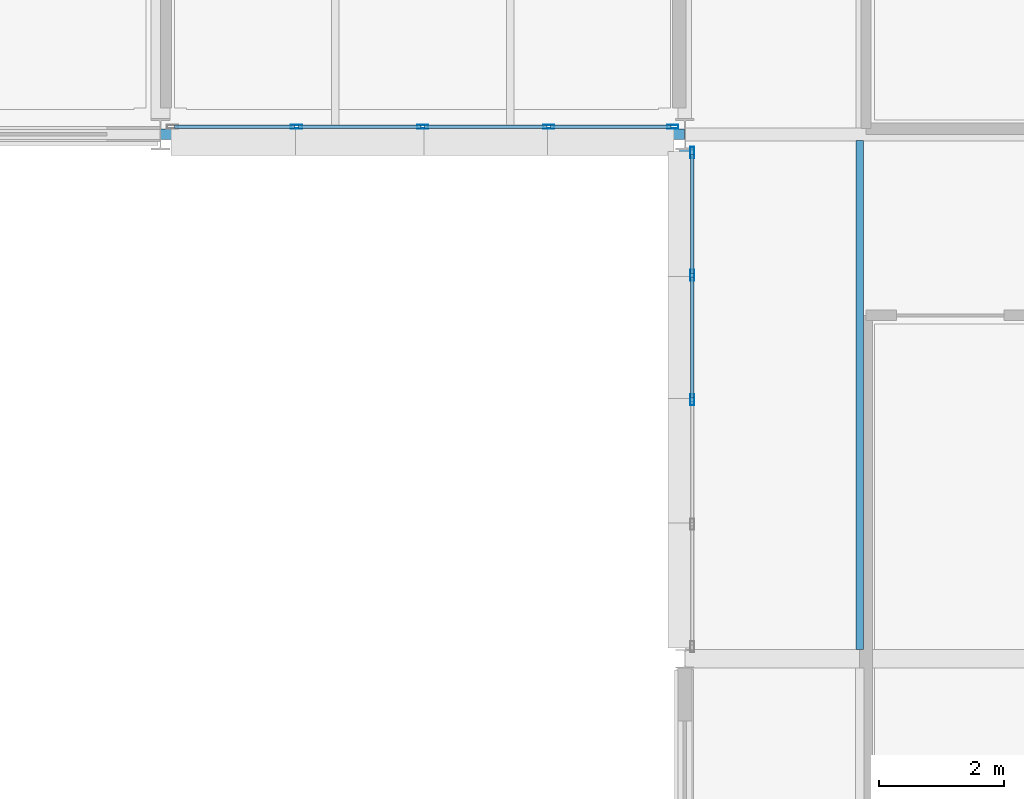
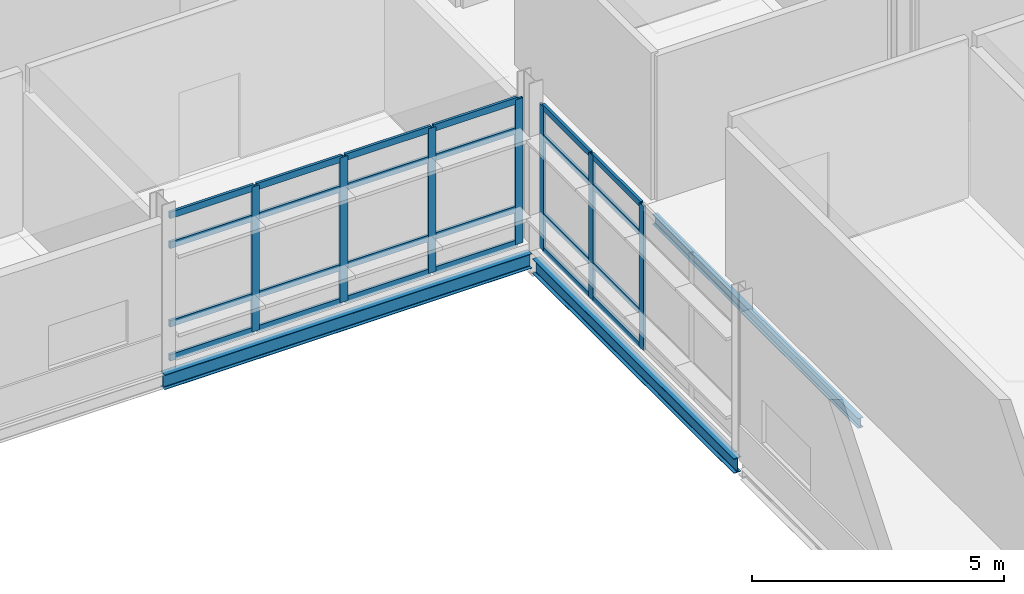
# One storey, part 90 of 131: 31 members, 3 beams, 2 elements without a shape of their own.
"""IFC4 building model written with IfcOpenShell, lengths in metres."""

from ifc_helpers import new_model, si_unit, direction, frame, origin, origin_2d, place, context, subcontext, project, spatial, hollow_rectangle, i_section, extrude, material, material_profile, profile_set, type_object, element, aggregate, save


model = new_model("IFC4")

# Units and contexts
model_context = context("Model", 3, precision=1e-05, world=origin(), true_north=direction((0.0, 1.0)))
body_context = subcontext(model_context, "Body", "Model", "MODEL_VIEW")
ifc_project = project(units=[si_unit("LENGTHUNIT", "METRE"), si_unit("AREAUNIT", "SQUARE_METRE"), si_unit("VOLUMEUNIT", "CUBIC_METRE"), si_unit("PLANEANGLEUNIT", "RADIAN"), si_unit("MASSUNIT", "GRAM", prefix="KILO")], contexts=[model_context])

# Site, building, storey
site_placement = place(None, origin())
site = spatial("IfcSite", under=ifc_project, at=site_placement, CompositionType="ELEMENT")
building_placement = place(site_placement, origin())
building = spatial("IfcBuilding", under=site, at=building_placement, Name="Mersafa Astral City Hall", CompositionType="ELEMENT")
storey_placement = place(building_placement, frame((0.0, 0.0, 13.949951171875)))
storey = spatial("IfcBuildingStorey", under=building, at=storey_placement, Name="L03", CompositionType="ELEMENT", Elevation=13.949951171875)

# Curtain wall, members
ifc_material_1 = material(Name="Anodised bronze aluminium framing", Category="aluminium")
curtain_wall_type_1 = type_object("IfcCurtainWallType", Name="ENV-CW-1", PredefinedType="USERDEFINED", material=ifc_material_1)
curtain_wall_1_placement = place(storey_placement, origin())
curtain_wall_1 = element("IfcCurtainWall", 1, at=curtain_wall_1_placement, inside=storey, type_object=curtain_wall_type_1, Name="L03 Unitised solar curtain wall 162", ObjectType="UNITISED CURTAIN WALL", PredefinedType="USERDEFINED")
ifc_material_profile_1 = material_profile(ifc_material_1, hollow_rectangle(XDim=0.06005859375, YDim=0.179931640625, WallThickness=0.00390625, at=origin_2d()), Name="RHS 60x180x4")
ifc_profile_set_1 = profile_set([ifc_material_profile_1], Name="Anodised bronze aluminium framing")
member_type_1 = type_object("IfcMemberType", Name="ENV-CW-MUL-1", PredefinedType="MULLION", material=ifc_profile_set_1)
member_1_placement = place(storey_placement, frame((153.381103515625, 100.919921875, -0.001953125), z_axis=(0.0, 0.0, 1.0), x_axis=(0.0, 1.0, 0.0)))
member_1 = element("IfcMember", 2, at=member_1_placement, type_object=member_type_1, Name="CW-1 mullion 2", PredefinedType="MULLION", context=body_context, shape_type="SweptSolid", body=[
    extrude(hollow_rectangle(XDim=0.06005859375, YDim=0.179931640625, WallThickness=0.00390625, at=origin_2d()), origin(), (0.0, 0.0, 1.0), 3.50390625),
])
member_2_placement = place(storey_placement, frame((155.39990234375, 100.919921875, -0.001953125), z_axis=(0.0, 0.0, 1.0), x_axis=(0.0, 1.0, 0.0)))
member_2 = element("IfcMember", 3, at=member_2_placement, type_object=member_type_1, Name="CW-1 mullion 3", PredefinedType="MULLION", context=body_context, shape_type="SweptSolid", body=[
    extrude(hollow_rectangle(XDim=0.06005859375, YDim=0.179931640625, WallThickness=0.00390625, at=origin_2d()), origin(), (0.0, 0.0, 1.0), 3.50390625),
])
member_3_placement = place(storey_placement, frame((157.4189453125, 100.919921875, -0.001953125), z_axis=(0.0, 0.0, 1.0), x_axis=(0.0, 1.0, 0.0)))
member_3 = element("IfcMember", 4, at=member_3_placement, type_object=member_type_1, Name="CW-1 mullion 4", PredefinedType="MULLION", context=body_context, shape_type="SweptSolid", body=[
    extrude(hollow_rectangle(XDim=0.06005859375, YDim=0.179931640625, WallThickness=0.00390625, at=origin_2d()), origin(), (0.0, 0.0, 1.0), 3.50390625),
])
member_4_placement = place(storey_placement, frame((159.407958984375, 100.919921875, -0.001953125), z_axis=(0.0, 0.0, 1.0), x_axis=(0.0, 1.0, 0.0)))
member_4 = element("IfcMember", 5, at=member_4_placement, type_object=member_type_1, Name="CW-1 mullion 5", PredefinedType="MULLION", context=body_context, shape_type="SweptSolid", body=[
    extrude(hollow_rectangle(XDim=0.06005859375, YDim=0.179931640625, WallThickness=0.00390625, at=origin_2d()), origin(), (0.0, 0.0, 1.0), 3.50390625),
])

curtain_wall_type_2 = type_object("IfcCurtainWallType", Name="ENV-CW-2", PredefinedType="USERDEFINED", material=ifc_material_1)
curtain_wall_2_placement = place(storey_placement, origin())
curtain_wall_2 = element("IfcCurtainWall", 6, at=curtain_wall_2_placement, inside=storey, type_object=curtain_wall_type_2, Name="L03 Unitised solar curtain wall 163", ObjectType="UNITISED CURTAIN WALL", PredefinedType="USERDEFINED")
member_5_placement = place(storey_placement, frame((159.719970703125, 100.508056640625, -0.001953125), z_axis=(0.0, 0.0, 1.0), x_axis=(1.0, 0.0, 0.0)))
member_5 = element("IfcMember", 7, at=member_5_placement, type_object=member_type_1, Name="CW-2 mullion 1", PredefinedType="MULLION", context=body_context, shape_type="SweptSolid", body=[
    extrude(hollow_rectangle(XDim=0.06005859375, YDim=0.179931640625, WallThickness=0.00390625, at=origin_2d()), origin(), (0.0, 0.0, 1.0), 3.489013671875),
])
member_6_placement = place(storey_placement, frame((159.719970703125, 98.5439453125, -0.001953125), z_axis=(0.0, 0.0, 1.0), x_axis=(1.0, 0.0, 0.0)))
member_6 = element("IfcMember", 8, at=member_6_placement, type_object=member_type_1, Name="CW-2 mullion 2", PredefinedType="MULLION", context=body_context, shape_type="SweptSolid", body=[
    extrude(hollow_rectangle(XDim=0.06005859375, YDim=0.179931640625, WallThickness=0.00390625, at=origin_2d()), origin(), (0.0, 0.0, 1.0), 3.489013671875),
])
member_7_placement = place(storey_placement, frame((159.719970703125, 96.550048828125, -0.001953125), z_axis=(0.0, 0.0, 1.0), x_axis=(1.0, 0.0, 0.0)))
member_7 = element("IfcMember", 9, at=member_7_placement, type_object=member_type_1, Name="CW-2 mullion 3", PredefinedType="MULLION", context=body_context, shape_type="SweptSolid", body=[
    extrude(hollow_rectangle(XDim=0.06005859375, YDim=0.179931640625, WallThickness=0.00390625, at=origin_2d()), origin(), (0.0, 0.0, 1.0), 3.489013671875),
])
ifc_material_profile_2 = material_profile(ifc_material_1, hollow_rectangle(XDim=0.06005859375, YDim=0.139892578125, WallThickness=0.00390625, at=origin_2d()), Name="RHS 60x140x4")
ifc_profile_set_2 = profile_set([ifc_material_profile_2], Name="Anodised bronze aluminium framing")
member_type_2 = type_object("IfcMemberType", Name="ENV-CW-TRN-1", PredefinedType="USERDEFINED", material=ifc_profile_set_2)
member_8_placement = place(storey_placement, frame((159.719970703125, 100.47802734375, 0.028076171875), z_axis=(0.0, -1.0, 0.0), x_axis=(1.0, 0.0, 0.0)))
member_8 = element("IfcMember", 10, at=member_8_placement, type_object=member_type_2, Name="CW-2 transom 1.1", ObjectType="TRANSOM", PredefinedType="USERDEFINED", context=body_context, shape_type="SweptSolid", body=[
    extrude(hollow_rectangle(XDim=0.06005859375, YDim=0.139892578125, WallThickness=0.00390625, at=origin_2d()), origin(), (0.0, 0.0, 1.0), 1.904052734375),
])
member_9_placement = place(storey_placement, frame((159.719970703125, 100.47802734375, 0.85009765625), z_axis=(0.0, -1.0, 0.0), x_axis=(1.0, 0.0, 0.0)))
member_9 = element("IfcMember", 11, at=member_9_placement, type_object=member_type_2, Name="CW-2 transom 1.2", ObjectType="TRANSOM", PredefinedType="USERDEFINED", context=body_context, shape_type="SweptSolid", body=[
    extrude(hollow_rectangle(XDim=0.06005859375, YDim=0.139892578125, WallThickness=0.00390625, at=origin_2d()), origin(), (0.0, 0.0, 1.0), 1.904052734375),
])
member_10_placement = place(storey_placement, frame((159.719970703125, 100.47802734375, 2.75), z_axis=(0.0, -1.0, 0.0), x_axis=(1.0, 0.0, 0.0)))
member_10 = element("IfcMember", 12, at=member_10_placement, type_object=member_type_2, Name="CW-2 transom 1.3", ObjectType="TRANSOM", PredefinedType="USERDEFINED", context=body_context, shape_type="SweptSolid", body=[
    extrude(hollow_rectangle(XDim=0.06005859375, YDim=0.139892578125, WallThickness=0.00390625, at=origin_2d()), origin(), (0.0, 0.0, 1.0), 1.904052734375),
])
member_11_placement = place(storey_placement, frame((159.719970703125, 100.47802734375, 3.45703125), z_axis=(0.0, -1.0, 0.0), x_axis=(1.0, 0.0, 0.0)))
member_11 = element("IfcMember", 13, at=member_11_placement, type_object=member_type_2, Name="CW-2 transom 1.4", ObjectType="TRANSOM", PredefinedType="USERDEFINED", context=body_context, shape_type="SweptSolid", body=[
    extrude(hollow_rectangle(XDim=0.06005859375, YDim=0.139892578125, WallThickness=0.00390625, at=origin_2d()), origin(), (0.0, 0.0, 1.0), 1.904052734375),
])
member_12_placement = place(storey_placement, frame((159.719970703125, 98.513916015625, 0.028076171875), z_axis=(0.0, -1.0, 0.0), x_axis=(1.0, 0.0, 0.0)))
member_12 = element("IfcMember", 14, at=member_12_placement, type_object=member_type_2, Name="CW-2 transom 2.1", ObjectType="TRANSOM", PredefinedType="USERDEFINED", context=body_context, shape_type="SweptSolid", body=[
    extrude(hollow_rectangle(XDim=0.06005859375, YDim=0.139892578125, WallThickness=0.00390625, at=origin_2d()), origin(), (0.0, 0.0, 1.0), 1.933837890625),
])
member_13_placement = place(storey_placement, frame((159.719970703125, 98.513916015625, 0.85009765625), z_axis=(0.0, -1.0, 0.0), x_axis=(1.0, 0.0, 0.0)))
member_13 = element("IfcMember", 15, at=member_13_placement, type_object=member_type_2, Name="CW-2 transom 2.2", ObjectType="TRANSOM", PredefinedType="USERDEFINED", context=body_context, shape_type="SweptSolid", body=[
    extrude(hollow_rectangle(XDim=0.06005859375, YDim=0.139892578125, WallThickness=0.00390625, at=origin_2d()), origin(), (0.0, 0.0, 1.0), 1.933837890625),
])
member_14_placement = place(storey_placement, frame((159.719970703125, 98.513916015625, 2.75), z_axis=(0.0, -1.0, 0.0), x_axis=(1.0, 0.0, 0.0)))
member_14 = element("IfcMember", 16, at=member_14_placement, type_object=member_type_2, Name="CW-2 transom 2.3", ObjectType="TRANSOM", PredefinedType="USERDEFINED", context=body_context, shape_type="SweptSolid", body=[
    extrude(hollow_rectangle(XDim=0.06005859375, YDim=0.139892578125, WallThickness=0.00390625, at=origin_2d()), origin(), (0.0, 0.0, 1.0), 1.933837890625),
])
member_15_placement = place(storey_placement, frame((159.719970703125, 98.513916015625, 3.45703125), z_axis=(0.0, -1.0, 0.0), x_axis=(1.0, 0.0, 0.0)))
member_15 = element("IfcMember", 17, at=member_15_placement, type_object=member_type_2, Name="CW-2 transom 2.4", ObjectType="TRANSOM", PredefinedType="USERDEFINED", context=body_context, shape_type="SweptSolid", body=[
    extrude(hollow_rectangle(XDim=0.06005859375, YDim=0.139892578125, WallThickness=0.00390625, at=origin_2d()), origin(), (0.0, 0.0, 1.0), 1.933837890625),
])
aggregate(curtain_wall_2, [member_5, member_6, member_7, member_8, member_9, member_10, member_11, member_12, member_13, member_14, member_15])

# Member
ifc_material_profile_3 = material_profile(ifc_material_1, hollow_rectangle(XDim=0.06005859375, YDim=0.159912109375, WallThickness=0.00390625, at=origin_2d()), Name="RHS 60x160x4")
ifc_profile_set_3 = profile_set([ifc_material_profile_3], Name="Anodised bronze aluminium framing")
member_type_3 = type_object("IfcMemberType", Name="ENV-CW-TRN-2", PredefinedType="USERDEFINED", material=ifc_profile_set_3)
member_16_placement = place(storey_placement, frame((151.422119140625, 100.919921875, 0.028076171875), z_axis=(1.0, 0.0, 0.0), x_axis=(0.0, 1.0, 0.0)))
member_16 = element("IfcMember", 18, at=member_16_placement, type_object=member_type_3, Name="CW-1 transom 1.1", ObjectType="TRANSOM", PredefinedType="USERDEFINED", context=body_context, shape_type="SweptSolid", body=[
    extrude(hollow_rectangle(XDim=0.06005859375, YDim=0.159912109375, WallThickness=0.00390625, at=origin_2d()), origin(), (0.0, 0.0, 1.0), 1.928955078125),
])

member_17_placement = place(storey_placement, frame((151.422119140625, 100.919921875, 0.85009765625), z_axis=(1.0, 0.0, 0.0), x_axis=(0.0, 1.0, 0.0)))
member_17 = element("IfcMember", 19, at=member_17_placement, type_object=member_type_3, Name="CW-1 transom 1.2", ObjectType="TRANSOM", PredefinedType="USERDEFINED", context=body_context, shape_type="SweptSolid", body=[
    extrude(hollow_rectangle(XDim=0.06005859375, YDim=0.159912109375, WallThickness=0.00390625, at=origin_2d()), origin(), (0.0, 0.0, 1.0), 1.928955078125),
])

member_18_placement = place(storey_placement, frame((151.422119140625, 100.919921875, 2.75), z_axis=(1.0, 0.0, 0.0), x_axis=(0.0, 1.0, 0.0)))
member_18 = element("IfcMember", 20, at=member_18_placement, type_object=member_type_3, Name="CW-1 transom 1.3", ObjectType="TRANSOM", PredefinedType="USERDEFINED", context=body_context, shape_type="SweptSolid", body=[
    extrude(hollow_rectangle(XDim=0.06005859375, YDim=0.159912109375, WallThickness=0.00390625, at=origin_2d()), origin(), (0.0, 0.0, 1.0), 1.928955078125),
])

member_19_placement = place(storey_placement, frame((151.422119140625, 100.919921875, 3.47216796875), z_axis=(1.0, 0.0, 0.0), x_axis=(0.0, 1.0, 0.0)))
member_19 = element("IfcMember", 21, at=member_19_placement, type_object=member_type_3, Name="CW-1 transom 1.4", ObjectType="TRANSOM", PredefinedType="USERDEFINED", context=body_context, shape_type="SweptSolid", body=[
    extrude(hollow_rectangle(XDim=0.06005859375, YDim=0.159912109375, WallThickness=0.00390625, at=origin_2d()), origin(), (0.0, 0.0, 1.0), 1.928955078125),
])

member_20_placement = place(storey_placement, frame((153.410888671875, 100.919921875, 0.028076171875), z_axis=(1.0, 0.0, 0.0), x_axis=(0.0, 1.0, 0.0)))
member_20 = element("IfcMember", 22, at=member_20_placement, type_object=member_type_3, Name="CW-1 transom 2.1", ObjectType="TRANSOM", PredefinedType="USERDEFINED", context=body_context, shape_type="SweptSolid", body=[
    extrude(hollow_rectangle(XDim=0.06005859375, YDim=0.159912109375, WallThickness=0.00390625, at=origin_2d()), origin(), (0.0, 0.0, 1.0), 1.959228515625),
])

member_21_placement = place(storey_placement, frame((153.410888671875, 100.919921875, 0.85009765625), z_axis=(1.0, 0.0, 0.0), x_axis=(0.0, 1.0, 0.0)))
member_21 = element("IfcMember", 23, at=member_21_placement, type_object=member_type_3, Name="CW-1 transom 2.2", ObjectType="TRANSOM", PredefinedType="USERDEFINED", context=body_context, shape_type="SweptSolid", body=[
    extrude(hollow_rectangle(XDim=0.06005859375, YDim=0.159912109375, WallThickness=0.00390625, at=origin_2d()), origin(), (0.0, 0.0, 1.0), 1.959228515625),
])

member_22_placement = place(storey_placement, frame((153.410888671875, 100.919921875, 2.75), z_axis=(1.0, 0.0, 0.0), x_axis=(0.0, 1.0, 0.0)))
member_22 = element("IfcMember", 24, at=member_22_placement, type_object=member_type_3, Name="CW-1 transom 2.3", ObjectType="TRANSOM", PredefinedType="USERDEFINED", context=body_context, shape_type="SweptSolid", body=[
    extrude(hollow_rectangle(XDim=0.06005859375, YDim=0.159912109375, WallThickness=0.00390625, at=origin_2d()), origin(), (0.0, 0.0, 1.0), 1.959228515625),
])

member_23_placement = place(storey_placement, frame((153.410888671875, 100.919921875, 3.47216796875), z_axis=(1.0, 0.0, 0.0), x_axis=(0.0, 1.0, 0.0)))
member_23 = element("IfcMember", 25, at=member_23_placement, type_object=member_type_3, Name="CW-1 transom 2.4", ObjectType="TRANSOM", PredefinedType="USERDEFINED", context=body_context, shape_type="SweptSolid", body=[
    extrude(hollow_rectangle(XDim=0.06005859375, YDim=0.159912109375, WallThickness=0.00390625, at=origin_2d()), origin(), (0.0, 0.0, 1.0), 1.959228515625),
])

member_24_placement = place(storey_placement, frame((155.429931640625, 100.919921875, 0.028076171875), z_axis=(1.0, 0.0, 0.0), x_axis=(0.0, 1.0, 0.0)))
member_24 = element("IfcMember", 26, at=member_24_placement, type_object=member_type_3, Name="CW-1 transom 3.1", ObjectType="TRANSOM", PredefinedType="USERDEFINED", context=body_context, shape_type="SweptSolid", body=[
    extrude(hollow_rectangle(XDim=0.06005859375, YDim=0.159912109375, WallThickness=0.00390625, at=origin_2d()), origin(), (0.0, 0.0, 1.0), 1.958984375),
])

member_25_placement = place(storey_placement, frame((155.429931640625, 100.919921875, 0.85009765625), z_axis=(1.0, 0.0, 0.0), x_axis=(0.0, 1.0, 0.0)))
member_25 = element("IfcMember", 27, at=member_25_placement, type_object=member_type_3, Name="CW-1 transom 3.2", ObjectType="TRANSOM", PredefinedType="USERDEFINED", context=body_context, shape_type="SweptSolid", body=[
    extrude(hollow_rectangle(XDim=0.06005859375, YDim=0.159912109375, WallThickness=0.00390625, at=origin_2d()), origin(), (0.0, 0.0, 1.0), 1.958984375),
])

member_26_placement = place(storey_placement, frame((155.429931640625, 100.919921875, 2.75), z_axis=(1.0, 0.0, 0.0), x_axis=(0.0, 1.0, 0.0)))
member_26 = element("IfcMember", 28, at=member_26_placement, type_object=member_type_3, Name="CW-1 transom 3.3", ObjectType="TRANSOM", PredefinedType="USERDEFINED", context=body_context, shape_type="SweptSolid", body=[
    extrude(hollow_rectangle(XDim=0.06005859375, YDim=0.159912109375, WallThickness=0.00390625, at=origin_2d()), origin(), (0.0, 0.0, 1.0), 1.958984375),
])

member_27_placement = place(storey_placement, frame((155.429931640625, 100.919921875, 3.47216796875), z_axis=(1.0, 0.0, 0.0), x_axis=(0.0, 1.0, 0.0)))
member_27 = element("IfcMember", 29, at=member_27_placement, type_object=member_type_3, Name="CW-1 transom 3.4", ObjectType="TRANSOM", PredefinedType="USERDEFINED", context=body_context, shape_type="SweptSolid", body=[
    extrude(hollow_rectangle(XDim=0.06005859375, YDim=0.159912109375, WallThickness=0.00390625, at=origin_2d()), origin(), (0.0, 0.0, 1.0), 1.958984375),
])

member_28_placement = place(storey_placement, frame((157.448974609375, 100.919921875, 0.028076171875), z_axis=(1.0, 0.0, 0.0), x_axis=(0.0, 1.0, 0.0)))
member_28 = element("IfcMember", 30, at=member_28_placement, type_object=member_type_3, Name="CW-1 transom 4.1", ObjectType="TRANSOM", PredefinedType="USERDEFINED", context=body_context, shape_type="SweptSolid", body=[
    extrude(hollow_rectangle(XDim=0.06005859375, YDim=0.159912109375, WallThickness=0.00390625, at=origin_2d()), origin(), (0.0, 0.0, 1.0), 1.928955078125),
])

member_29_placement = place(storey_placement, frame((157.448974609375, 100.919921875, 0.85009765625), z_axis=(1.0, 0.0, 0.0), x_axis=(0.0, 1.0, 0.0)))
member_29 = element("IfcMember", 31, at=member_29_placement, type_object=member_type_3, Name="CW-1 transom 4.2", ObjectType="TRANSOM", PredefinedType="USERDEFINED", context=body_context, shape_type="SweptSolid", body=[
    extrude(hollow_rectangle(XDim=0.06005859375, YDim=0.159912109375, WallThickness=0.00390625, at=origin_2d()), origin(), (0.0, 0.0, 1.0), 1.928955078125),
])

member_30_placement = place(storey_placement, frame((157.448974609375, 100.919921875, 2.75), z_axis=(1.0, 0.0, 0.0), x_axis=(0.0, 1.0, 0.0)))
member_30 = element("IfcMember", 32, at=member_30_placement, type_object=member_type_3, Name="CW-1 transom 4.3", ObjectType="TRANSOM", PredefinedType="USERDEFINED", context=body_context, shape_type="SweptSolid", body=[
    extrude(hollow_rectangle(XDim=0.06005859375, YDim=0.159912109375, WallThickness=0.00390625, at=origin_2d()), origin(), (0.0, 0.0, 1.0), 1.928955078125),
])

member_31_placement = place(storey_placement, frame((157.448974609375, 100.919921875, 3.47216796875), z_axis=(1.0, 0.0, 0.0), x_axis=(0.0, 1.0, 0.0)))
member_31 = element("IfcMember", 33, at=member_31_placement, type_object=member_type_3, Name="CW-1 transom 4.4", ObjectType="TRANSOM", PredefinedType="USERDEFINED", context=body_context, shape_type="SweptSolid", body=[
    extrude(hollow_rectangle(XDim=0.06005859375, YDim=0.159912109375, WallThickness=0.00390625, at=origin_2d()), origin(), (0.0, 0.0, 1.0), 1.928955078125),
])

aggregate(curtain_wall_1, [member_1, member_2, member_3, member_4, member_16, member_17, member_18, member_19, member_20, member_21, member_22, member_23, member_24, member_25, member_26, member_27, member_28, member_29, member_30, member_31])

# Beams
ifc_material_2 = material(Name="Steel S355", Category="steel")
ifc_material_profile_4 = material_profile(ifc_material_2, i_section(OverallWidth=0.1201171875, OverallDepth=0.239990234375, WebThickness=0.006103515625, FlangeThickness=0.009765625, FilletRadius=0.014892578125, at=origin_2d()), Name="IPE 240")
ifc_profile_set_4 = profile_set([ifc_material_profile_4], Name="Steel S355")
beam_type_1 = type_object("IfcBeamType", Name="STR-BM-JOIST-IPE240", PredefinedType="JOIST", material=ifc_profile_set_4)
beam_1_placement = place(storey_placement, frame((162.39990234375, 92.544921875, -0.320068359375), z_axis=(0.0, 1.0, 0.0), x_axis=(-1.0, 0.0, 0.0)))
element("IfcBeam", 34, at=beam_1_placement, inside=storey, type_object=beam_type_1, Name="L03 Composite secondary floor joist 662", PredefinedType="JOIST", context=body_context, shape_type="SweptSolid", body=[
    extrude(i_section(OverallWidth=0.1201171875, OverallDepth=0.239990234375, WebThickness=0.006103515625, FlangeThickness=0.009765625, FilletRadius=0.014892578125, at=origin_2d()), origin(), (0.0, 0.0, 1.0), 8.155029296875),
])
ifc_material_profile_5 = material_profile(ifc_material_2, i_section(OverallWidth=0.169921875, OverallDepth=0.360107421875, WebThickness=0.008056640625, FlangeThickness=0.0126953125, FilletRadius=0.01806640625, at=origin_2d()), Name="IPE 360")
ifc_profile_set_5 = profile_set([ifc_material_profile_5], Name="Steel S355")
beam_type_2 = type_object("IfcBeamType", Name="STR-BM-SPANDREL-IPE360", PredefinedType="SPANDREL", material=ifc_profile_set_5)
beam_2_placement = place(storey_placement, frame((151.202880859375, 100.800048828125, -0.3798828125), z_axis=(1.0, 0.0, 0.0), x_axis=(0.0, 1.0, 0.0)))
element("IfcBeam", 35, at=beam_2_placement, inside=storey, type_object=beam_type_2, Name="L03 Primary girder X 18-12", PredefinedType="SPANDREL", context=body_context, shape_type="SweptSolid", body=[
    extrude(i_section(OverallWidth=0.169921875, OverallDepth=0.360107421875, WebThickness=0.008056640625, FlangeThickness=0.0126953125, FilletRadius=0.01806640625, at=origin_2d()), origin(), (0.0, 0.0, 1.0), 8.39404296875),
])
beam_3_placement = place(storey_placement, frame((159.60009765625, 92.574951171875, -0.3798828125), z_axis=(0.0, 1.0, 0.0), x_axis=(-1.0, 0.0, 0.0)))
element("IfcBeam", 36, at=beam_3_placement, inside=storey, type_object=beam_type_2, Name="L03 Primary girder Y 19-11", PredefinedType="SPANDREL", context=body_context, shape_type="SweptSolid", body=[
    extrude(i_section(OverallWidth=0.169921875, OverallDepth=0.360107421875, WebThickness=0.008056640625, FlangeThickness=0.0126953125, FilletRadius=0.01806640625, at=origin_2d()), origin(), (0.0, 0.0, 1.0), 7.97998046875),
])

save(model, "model.ifc")
